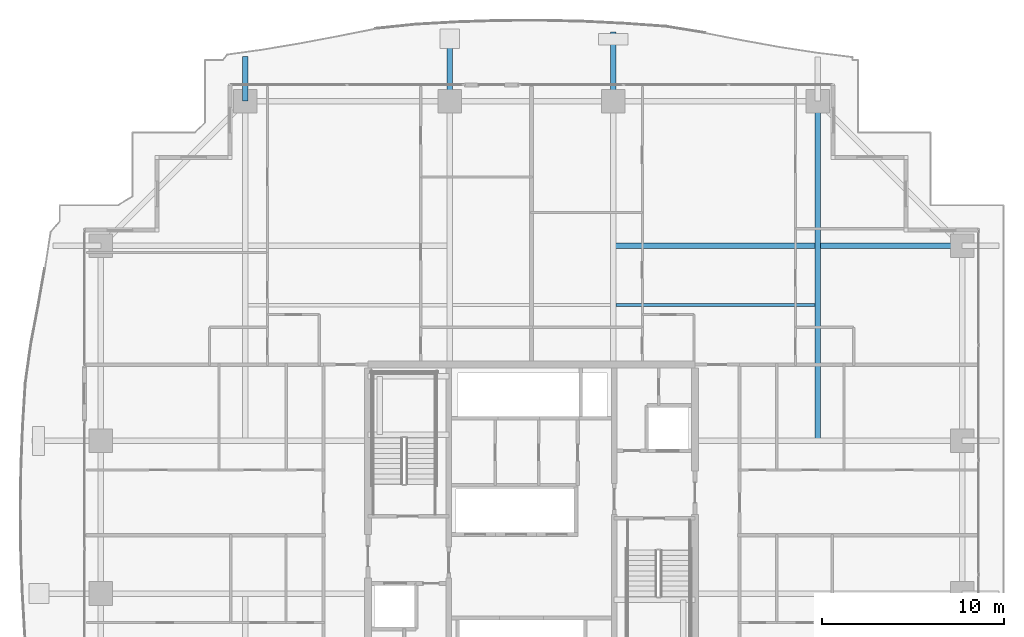
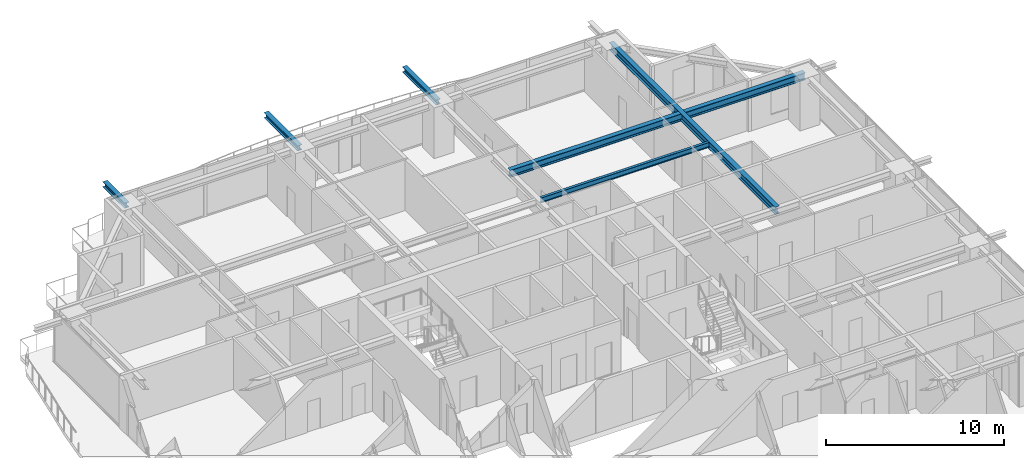
# One storey, part 22 of 38: 6 beams.
"""IFC4 building model written with IfcOpenShell, lengths in metres."""

import ifcopenshell
import ifcopenshell.guid

model = None  # the IFC model being written
_history = None  # IfcOwnerHistory: only IFC2X3 demands one
_inside = {}  # id of a spatial element -> (the spatial element, [elements in it])
_under = {}  # id of a project, library or spatial element -> (it, [spatial elements below it])
_declared = {}  # id of a project -> (the project, [libraries it declares])
_typed = {}  # id of a type object -> (the type object, [elements of that type])
_made_of = {}  # id of a material, layer set ... -> (it, [elements and type objects made of it])


def new_model(schema):
    """Start an empty IFC model of exactly this schema.

    Asked for "IFC4X3", IfcOpenShell would pick the latest addendum, in which some entities
    have other attributes; the version numbers below select the first issue.
    IFC2X3 requires an IfcOwnerHistory on every rooted entity: one is made here for all.
    """
    global model, _history
    if schema == "IFC4X3":
        model = ifcopenshell.file(schema_version=(4, 3, 0, 0))
    else:
        model = ifcopenshell.file(schema=schema)
    _inside.clear()
    _under.clear()
    _declared.clear()
    _typed.clear()
    _made_of.clear()
    _history = None
    if model.schema == "IFC2X3":
        org = make("IfcOrganization", Name="unknown")
        user = make(
            "IfcPersonAndOrganization",
            ThePerson=make("IfcPerson", FamilyName="unknown"),
            TheOrganization=org,
        )
        app = make(
            "IfcApplication",
            ApplicationDeveloper=org,
            Version="unknown",
            ApplicationFullName="unknown",
            ApplicationIdentifier="unknown",
        )
        _history = make(
            "IfcOwnerHistory",
            OwningUser=user,
            OwningApplication=app,
            ChangeAction="ADDED",
            CreationDate=0,
        )
    return model


def make(cls, **values):
    """One entity of the class cls with the attributes given. An attribute that is None is left unset."""
    return model.create_entity(
        cls, **{name: value for name, value in values.items() if value is not None}
    )


def rooted(cls, **values):
    """An entity with a GlobalId (a new one), such as an element, a storey or a relation."""
    return make(cls, GlobalId=ifcopenshell.guid.new(), OwnerHistory=_history, **values)


def si_unit(unit_type, name, prefix=None):
    """IfcSIUnit, for example si_unit("LENGTHUNIT", "METRE", prefix="MILLI")."""
    return make("IfcSIUnit", UnitType=unit_type, Prefix=prefix, Name=name)


def assignment(units):
    """IfcUnitAssignment: the units of a project."""
    return None if units is None else make("IfcUnitAssignment", Units=units)


def point(xyz):
    """IfcCartesianPoint."""
    return None if xyz is None else make("IfcCartesianPoint", Coordinates=xyz)


def direction(xyz):
    """IfcDirection."""
    return None if xyz is None else make("IfcDirection", DirectionRatios=xyz)


def frame(location, z_axis=None, x_axis=None):
    """IfcAxis2Placement3D, a coordinate frame: its origin and axes. An axis left out is left unset."""
    return make(
        "IfcAxis2Placement3D",
        Location=point(location),
        Axis=direction(z_axis),
        RefDirection=direction(x_axis),
    )


def frame_2d(location, x_axis=None):
    """IfcAxis2Placement2D, a coordinate frame in the plane: its origin and x axis."""
    return make(
        "IfcAxis2Placement2D", Location=point(location), RefDirection=direction(x_axis)
    )


def origin():
    """The frame at (0, 0, 0) with its axes left unset."""
    return frame((0.0, 0.0, 0.0))


def origin_2d():
    """The frame at (0, 0) in the plane with its x axis left unset."""
    return frame_2d((0.0, 0.0))


def place(relative_to, where):
    """IfcLocalPlacement: puts the frame where relative to a parent placement (None: the world)."""
    return make(
        "IfcLocalPlacement", PlacementRelTo=relative_to, RelativePlacement=where
    )


def context(
    kind, dimensions, precision=None, world=None, true_north=None, identifier=None
):
    """IfcGeometricRepresentationContext, for example the 3D "Model" context."""
    return make(
        "IfcGeometricRepresentationContext",
        ContextIdentifier=identifier,
        ContextType=kind,
        CoordinateSpaceDimension=dimensions,
        Precision=precision,
        WorldCoordinateSystem=world,
        TrueNorth=true_north,
    )


def subcontext(parent, identifier, kind, view, scale=None):
    """IfcGeometricRepresentationSubContext, for example "Body" below "Model"."""
    return make(
        "IfcGeometricRepresentationSubContext",
        ContextIdentifier=identifier,
        ContextType=kind,
        ParentContext=parent,
        TargetScale=scale,
        TargetView=view,
    )


def project(units=None, contexts=None):
    """IfcProject with its units and contexts."""
    return rooted(
        "IfcProject",
        Name="project",
        RepresentationContexts=contexts,
        UnitsInContext=assignment(units),
    )


def spatial(cls, under=None, at=None, **own):
    """A site, building, storey or space (cls), placed at a placement, below another one or the project."""
    s = rooted(cls, ObjectPlacement=at, **own)
    if under is not None:
        _under.setdefault(under.id(), (under, []))[1].append(s)
    return s


def profile(cls, at=None, kind="AREA", **sizes):
    """A parametric profile (cls). Its sizes go by their IFC names, for example OverallWidth=200.0."""
    return make(cls, ProfileType=kind, Position=at, **sizes)


def i_section(**sizes):
    """IfcIShapeProfileDef."""
    return profile("IfcIShapeProfileDef", **sizes)


def extrude(swept, where, along, depth):
    """IfcExtrudedAreaSolid: the profile swept, set in the frame where, extruded along a direction by depth."""
    return make(
        "IfcExtrudedAreaSolid",
        SweptArea=swept,
        Position=where,
        ExtrudedDirection=direction(along),
        Depth=depth,
    )


def shape(context_of_items, identifier, shape_type, items):
    """IfcShapeRepresentation: the items that make up one representation, for example the "Body"."""
    return make(
        "IfcShapeRepresentation",
        ContextOfItems=context_of_items,
        RepresentationIdentifier=identifier,
        RepresentationType=shape_type,
        Items=items,
    )


def source(mapping_origin, context_of_items, identifier, shape_type, items):
    """IfcRepresentationMap: a shape defined once, which mapped items show again and again."""
    return make(
        "IfcRepresentationMap",
        MappingOrigin=mapping_origin,
        MappedRepresentation=shape(context_of_items, identifier, shape_type, items),
    )


def transform(
    local_origin,
    x_axis=None,
    y_axis=None,
    z_axis=None,
    scale=None,
    scale2=None,
    scale3=None,
    uniform=True,
):
    """IfcCartesianTransformationOperator3D, or its non-uniform kind. x_axis, y_axis, z_axis: its Axis1, 2, 3."""
    if uniform:
        return make(
            "IfcCartesianTransformationOperator3D",
            Axis1=direction(x_axis),
            Axis2=direction(y_axis),
            LocalOrigin=point(local_origin),
            Scale=scale,
            Axis3=direction(z_axis),
        )
    return make(
        "IfcCartesianTransformationOperator3DnonUniform",
        Axis1=direction(x_axis),
        Axis2=direction(y_axis),
        LocalOrigin=point(local_origin),
        Scale=scale,
        Axis3=direction(z_axis),
        Scale2=scale2,
        Scale3=scale3,
    )


def mapped(mapping_source, mapping_target):
    """IfcMappedItem: shows the shape of a source again, moved by a transform."""
    return make(
        "IfcMappedItem", MappingSource=mapping_source, MappingTarget=mapping_target
    )


def material(Name=None, Category=None):
    """IfcMaterial."""
    return make("IfcMaterial", Name=Name, Category=Category)


def material_profile(
    of_material, cross_section, Name=None, Category=None, Priority=None
):
    """IfcMaterialProfile: a cross section and its material."""
    return make(
        "IfcMaterialProfile",
        Name=Name,
        Material=of_material,
        Profile=cross_section,
        Priority=Priority,
        Category=Category,
    )


def profile_set(profiles, Name=None, composite=None):
    """IfcMaterialProfileSet."""
    return make(
        "IfcMaterialProfileSet",
        Name=Name,
        MaterialProfiles=profiles,
        CompositeProfile=composite,
    )


def made_of(thing, what):
    """Note that an element or type object is made of a material, layer set ...; save() writes the relation."""
    if what is not None:
        _made_of.setdefault(what.id(), (what, []))[1].append(thing)
    return thing


def type_object(cls, material=None, **own):
    """A type object (cls), such as IfcWallType, which elements share."""
    return made_of(rooted(cls, **own), material)


def element(
    cls,
    number,
    at=None,
    inside=None,
    cuts=None,
    type_object=None,
    material=None,
    context=None,
    identifier="Body",
    shape_type=None,
    held_by="IfcProductDefinitionShape",
    body=None,
    shapes=None,
    **own,
):
    """One element of the class cls, such as IfcWall. Its Tag is "e" and its number.

    at: its placement. inside: the storey or other place that contains it. cuts: it is an
    opening in that element (IfcRelVoidsElement). A single representation is given by context,
    identifier, shape_type and body (its items); several are given by shapes. held_by: the class
    of the entity that holds the representations. save() writes the other relations.
    """
    e = rooted(cls, Tag="e%d" % number, ObjectPlacement=at, **own)
    if body is not None:
        shapes = [shape(context, identifier, shape_type, body)]
    if shapes is not None:
        e.Representation = make(held_by, Representations=shapes)
    if inside is not None:
        _inside.setdefault(inside.id(), (inside, []))[1].append(e)
    if cuts is not None:
        rooted(
            "IfcRelVoidsElement", RelatingBuildingElement=cuts, RelatedOpeningElement=e
        )
    if type_object is not None:
        _typed.setdefault(type_object.id(), (type_object, []))[1].append(e)
    return made_of(e, material)


def aggregate(whole, parts):
    """IfcRelAggregates: a whole, such as a stair, and the parts it consists of."""
    return rooted("IfcRelAggregates", RelatingObject=whole, RelatedObjects=parts)


def save(model, path):
    """Write the relations noted so far, then the file.

    IfcRelAggregates (storeys below a building ...), IfcRelContainedInSpatialStructure (elements
    in a storey), IfcRelDefinesByType, IfcRelAssociatesMaterial and IfcRelDeclares: one each for
    every whole, place, type object, material and project.
    """
    for whole, parts in _under.values():
        aggregate(whole, parts)
    for where, things in _inside.values():
        rooted(
            "IfcRelContainedInSpatialStructure",
            RelatedElements=things,
            RelatingStructure=where,
        )
    for kind, things in _typed.values():
        rooted("IfcRelDefinesByType", RelatedObjects=things, RelatingType=kind)
    for what, things in _made_of.values():
        rooted("IfcRelAssociatesMaterial", RelatedObjects=things, RelatingMaterial=what)
    for by, libraries in _declared.values():
        rooted("IfcRelDeclares", RelatingContext=by, RelatedDefinitions=libraries)
    model.write(path)


model = new_model("IFC4")

# Units and contexts
model_context = context("Model", 3, precision=1e-05, world=origin(), true_north=direction((0.0, 1.0)))
body_context = subcontext(model_context, "Body", "Model", "MODEL_VIEW")
ifc_project = project(units=[si_unit("LENGTHUNIT", "METRE"), si_unit("AREAUNIT", "SQUARE_METRE"), si_unit("VOLUMEUNIT", "CUBIC_METRE"), si_unit("PLANEANGLEUNIT", "RADIAN"), si_unit("MASSUNIT", "GRAM", prefix="KILO")], contexts=[model_context])

# Site, building, storey
site_placement = place(None, origin())
site = spatial("IfcSite", under=ifc_project, at=site_placement, CompositionType="ELEMENT")
building_placement = place(site_placement, origin())
building = spatial("IfcBuilding", under=site, at=building_placement, Name="Serunith Strait Residences", CompositionType="ELEMENT")
storey_placement = place(building_placement, frame((0.0, 0.0, 120.14990234375)))
storey = spatial("IfcBuildingStorey", under=building, at=storey_placement, Name="L29", CompositionType="ELEMENT", Elevation=120.14990234375)

# Beams
ifc_material = material(Name="Steel S355J2", Category="steel")
ifc_material_profile_1 = material_profile(ifc_material, i_section(OverallWidth=0.300048828125, OverallDepth=0.5, WebThickness=0.014404296875, FlangeThickness=0.028076171875, FilletRadius=0.027099609375, at=origin_2d()), Name="HEB 500")
ifc_profile_set_1 = profile_set([ifc_material_profile_1], Name="Steel S355J2")
beam_type_1 = type_object("IfcBeamType", Name="BM-HEB500", PredefinedType="BEAM", material=ifc_profile_set_1)
shared_shape_1 = source(origin(), body_context, "Body", "SweptSolid", [
    extrude(i_section(OverallWidth=0.300048828125, OverallDepth=0.5, WebThickness=0.014404296875, FlangeThickness=0.028076171875, FilletRadius=0.027099609375, at=origin_2d()), origin(), (0.0, 0.0, 1.0), 18.7001953125),
])
beam_1_placement = place(storey_placement, frame((48.14990234375, 29.39990234375, 3.237060546875), z_axis=(0.0, 1.0, 0.0), x_axis=(-1.0, 0.0, 0.0)))
element("IfcBeam", 1, at=beam_1_placement, inside=storey, type_object=beam_type_1, Name="L29 Orthogonal Corner Girder TC-N4", PredefinedType="BEAM", context=body_context, shape_type="MappedRepresentation", body=[
    mapped(shared_shape_1, transform((0.0, 0.0, 0.0), scale=1.0)),
])
shared_shape_2 = source(origin(), body_context, "Body", "SweptSolid", [
    extrude(i_section(OverallWidth=0.300048828125, OverallDepth=0.5, WebThickness=0.014404296875, FlangeThickness=0.028076171875, FilletRadius=0.027099609375, at=origin_2d()), origin(), (0.0, 0.0, 1.0), 19.2001953125),
])
beam_2_placement = place(storey_placement, frame((36.89990234375, 40.14990234375, 3.237060546875), z_axis=(1.0, 0.0, 0.0), x_axis=(0.0, 1.0, 0.0)))
element("IfcBeam", 2, at=beam_2_placement, inside=storey, type_object=beam_type_1, Name="L29 Orthogonal Corner Girder TC-E4", PredefinedType="BEAM", context=body_context, shape_type="MappedRepresentation", body=[
    mapped(shared_shape_2, transform((0.0, 0.0, 0.0), scale=1.0)),
])
ifc_material_profile_2 = material_profile(ifc_material, i_section(OverallWidth=0.169921875, OverallDepth=0.360107421875, WebThickness=0.008056640625, FlangeThickness=0.0126953125, FilletRadius=0.01806640625, at=origin_2d()), Name="IPE 360")
ifc_profile_set_2 = profile_set([ifc_material_profile_2], Name="Steel S355J2")
beam_type_2 = type_object("IfcBeamType", Name="BM-IPE360", PredefinedType="JOIST", material=ifc_profile_set_2)
shared_shape_3 = source(origin(), body_context, "Body", "SweptSolid", [
    extrude(i_section(OverallWidth=0.169921875, OverallDepth=0.360107421875, WebThickness=0.008056640625, FlangeThickness=0.0126953125, FilletRadius=0.01806640625, at=origin_2d()), origin(), (0.0, 0.0, 1.0), 10.949951171875),
])
beam_3_placement = place(storey_placement, frame((37.050048828125, 36.875, 3.30712890625), z_axis=(1.0, 0.0, 0.0), x_axis=(0.0, 1.0, 0.0)))
element("IfcBeam", 3, at=beam_3_placement, inside=storey, type_object=beam_type_2, Name="L29 Composite Floor Joist 06", PredefinedType="JOIST", context=body_context, shape_type="MappedRepresentation", body=[
    mapped(shared_shape_3, transform((0.0, 0.0, 0.0), scale=1.0)),
])
ifc_material_profile_3 = material_profile(ifc_material, i_section(OverallWidth=0.300048828125, OverallDepth=0.360107421875, WebThickness=0.012451171875, FlangeThickness=0.0224609375, FilletRadius=0.027099609375, at=origin_2d()), Name="HEB 360")
ifc_profile_set_3 = profile_set([ifc_material_profile_3], Name="Steel S355J2")
beam_type_3 = type_object("IfcBeamType", Name="BM-HEB360", PredefinedType="BEAM", material=ifc_profile_set_3)
shared_shape_4 = source(origin(), body_context, "Body", "SweptSolid", [
    extrude(i_section(OverallWidth=0.300048828125, OverallDepth=0.360107421875, WebThickness=0.012451171875, FlangeThickness=0.0224609375, FilletRadius=0.027099609375, at=origin_2d()), origin(), (0.0, 0.0, 1.0), 2.46435546875),
])
beam_4_placement = place(storey_placement, frame((16.64990234375, 48.10009765625, 3.277099609375), z_axis=(0.0, 1.0, 0.0), x_axis=(-1.0, 0.0, 0.0)))
element("IfcBeam", 4, at=beam_4_placement, inside=storey, type_object=beam_type_3, Name="L30 Cantilevered Balcony Rib TC-N1", PredefinedType="BEAM", context=body_context, shape_type="MappedRepresentation", body=[
    mapped(shared_shape_4, transform((0.0, 0.0, 0.0), scale=1.0)),
])
shared_shape_5 = source(origin(), body_context, "Body", "SweptSolid", [
    extrude(i_section(OverallWidth=0.300048828125, OverallDepth=0.360107421875, WebThickness=0.012451171875, FlangeThickness=0.0224609375, FilletRadius=0.027099609375, at=origin_2d()), origin(), (0.0, 0.0, 1.0), 3.7998046875),
])
for number, where, z_axis, x_axis, name in (
    (5, (27.89990234375, 48.10009765625, 3.277099609375), (0.0, 1.0, 0.0), (-1.0, 0.0, 0.0), "L30 Cantilevered Balcony Rib TC-N2"),
    (6, (36.89990234375, 48.10009765625, 3.277099609375), (0.0, 1.0, 0.0), (-1.0, 0.0, 0.0), "L30 Cantilevered Balcony Rib TC-N3"),
):
    element("IfcBeam", number, at=place(storey_placement, frame(where, z_axis=z_axis, x_axis=x_axis)), inside=storey, type_object=beam_type_3, Name=name, PredefinedType="BEAM", context=body_context, shape_type="MappedRepresentation", body=[
        mapped(shared_shape_5, transform((0.0, 0.0, 0.0), scale=1.0)),
    ])

save(model, "model.ifc")
